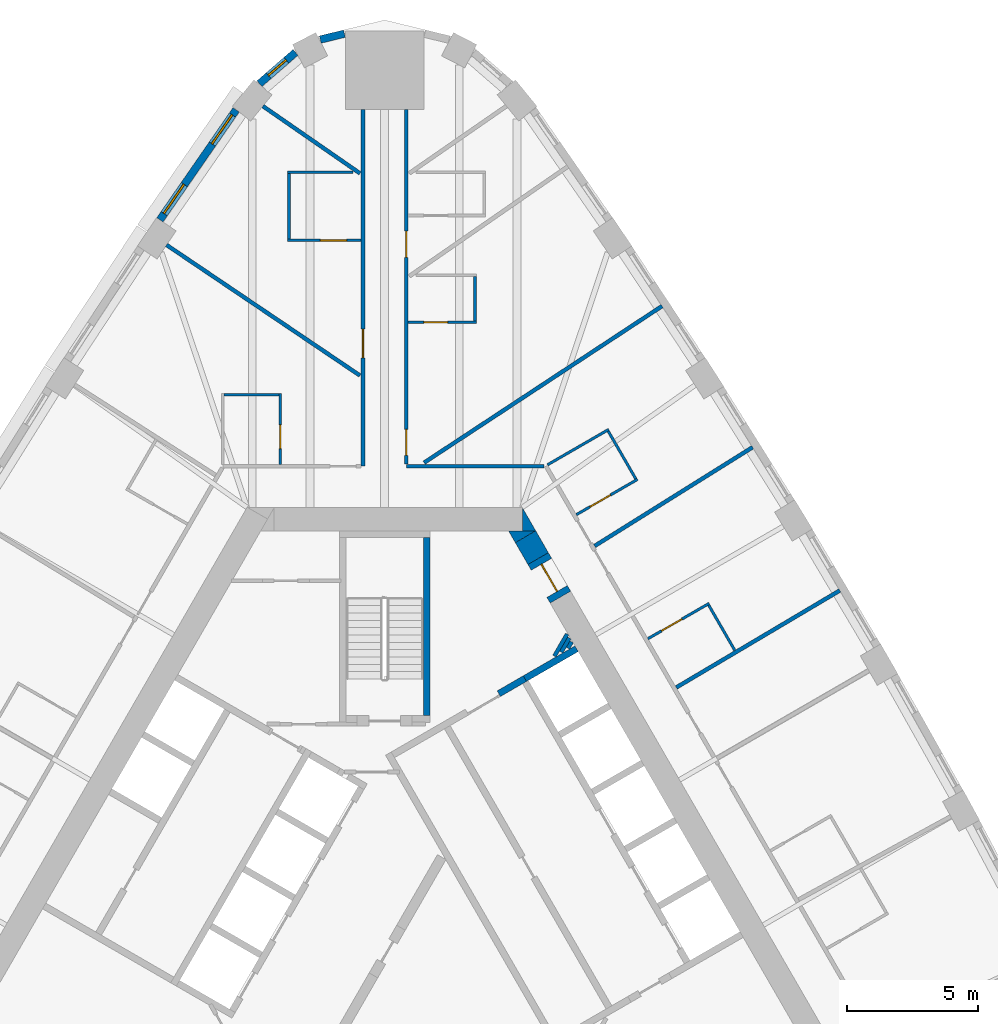
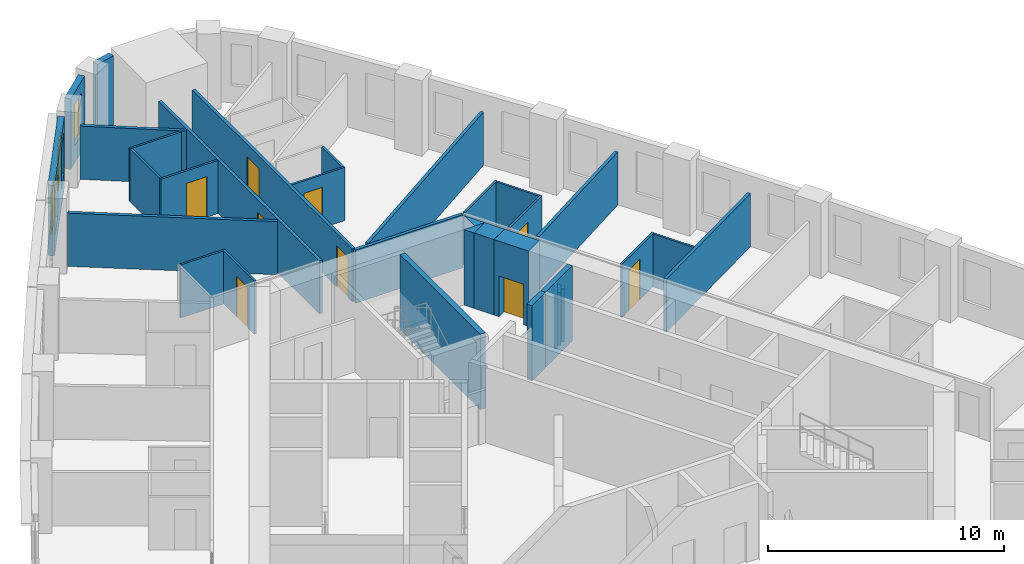
# One storey, part 10 of 12: 33 walls, 9 doors, 3 windows, 12 openings.
"""IFC4 building model written with IfcOpenShell, lengths in metres."""

from ifc_helpers import new_model, si_unit, direction, frame, frame_2d, origin, place, context, subcontext, project, spatial, polyline, rectangle, outline, extrude, material, layer, layer_set, type_object, element, fill, save


model = new_model("IFC4")

# Units and contexts
model_context = context("Model", 3, precision=1e-05, world=origin(), true_north=direction((0.0, 1.0)))
body_context = subcontext(model_context, "Body", "Model", "MODEL_VIEW")
ifc_project = project(units=[si_unit("LENGTHUNIT", "METRE"), si_unit("AREAUNIT", "SQUARE_METRE"), si_unit("VOLUMEUNIT", "CUBIC_METRE"), si_unit("PLANEANGLEUNIT", "RADIAN"), si_unit("MASSUNIT", "GRAM", prefix="KILO")], contexts=[model_context])

# Site, building, storey
site_placement = place(None, origin())
site = spatial("IfcSite", under=ifc_project, at=site_placement, CompositionType="ELEMENT")
building_placement = place(site_placement, origin())
building = spatial("IfcBuilding", under=site, at=building_placement, Name="Mestral Congress Tower", CompositionType="ELEMENT")
storey_placement = place(building_placement, frame((0.0, 0.0, 111.0)))
storey = spatial("IfcBuildingStorey", under=building, at=storey_placement, Name="L26", CompositionType="ELEMENT", Elevation=111.0)

# Walls
ifc_material_1 = material(Name="Fire-rated board partition")
ifc_layer_1 = layer(ifc_material_1, 0.14990234375)
ifc_layer_set_1 = layer_set([ifc_layer_1], Name="Fire-rated board partition")
wall_type_1 = type_object("IfcWallType", Name="Core partition 150", PredefinedType="PARTITIONING", material=ifc_layer_set_1)
wall_1_placement = place(storey_placement, frame((6.481689453125, 11.224609375, 0.0), z_axis=(0.0, 0.0, 1.0), x_axis=(0.5001061818, 0.865964091014, 0.0)))
element("IfcWall", 1, at=wall_1_placement, inside=storey, type_object=wall_type_1, Name="L26 core wall", PredefinedType="PARTITIONING", context=body_context, shape_type="SweptSolid", body=[
    extrude(rectangle(XDim=0.972900390625, YDim=0.14990234375, at=frame_2d((0.486328125, 0.0))), origin(), (0.0, 0.0, 1.0), 2.75),
])
wall_2_placement = place(storey_placement, frame((6.74169921875, 11.374755859375, 0.0), z_axis=(0.0, 0.0, 1.0), x_axis=(0.499744951064, 0.86617260629, 0.0)))
element("IfcWall", 2, at=wall_2_placement, inside=storey, type_object=wall_type_1, Name="L26 core wall", PredefinedType="PARTITIONING", context=body_context, shape_type="SweptSolid", body=[
    extrude(rectangle(XDim=0.626220703125, YDim=0.14990234375, at=frame_2d((0.31298828125, 0.0))), origin(), (0.0, 0.0, 1.0), 2.75),
])
wall_3_placement = place(storey_placement, frame((7.00146484375, 11.524658203125, 0.0), z_axis=(0.0, 0.0, 1.0), x_axis=(0.499797962495, 0.866142018774, 0.0)))
element("IfcWall", 3, at=wall_3_placement, inside=storey, type_object=wall_type_1, Name="L26 core wall", PredefinedType="PARTITIONING", context=body_context, shape_type="SweptSolid", body=[
    extrude(rectangle(XDim=0.27978515625, YDim=0.14990234375, at=frame_2d((0.139892578125, 0.0))), origin(), (0.0, 0.0, 1.0), 2.75),
])
ifc_material_2 = material(Name="Concrete C60/75", Category="concrete")
ifc_layer_2 = layer(ifc_material_2, 0.89990234375)
ifc_layer_set_2 = layer_set([ifc_layer_2], Name="Concrete C60/75")
wall_type_2 = type_object("IfcWallType", Name="Core wall RC 900", PredefinedType="SOLIDWALL", material=ifc_layer_set_2)
placement = place(storey_placement, origin())
element("IfcWall", 4, at=placement, inside=storey, type_object=wall_type_2, Name="L26 core wall", PredefinedType="SOLIDWALL", context=body_context, shape_type="SweptSolid", body=[
    extrude(outline(polyline([(5.265380859375, 16.0), (5.265380859375, 16.8798828125), (5.7734375, 16.0), (5.265380859375, 16.0)])), origin(), (0.0, 0.0, 1.0), 3.89990234375),
])
wall_5_placement = place(storey_placement, frame((5.86083984375, 14.94873046875, 0.0), z_axis=(0.0, 0.0, 1.0), x_axis=(-0.50011719232, 0.865957732194, 0.0)))
element("IfcWall", 5, at=wall_5_placement, inside=storey, type_object=wall_type_2, Name="L26 core wall", PredefinedType="SOLIDWALL", context=body_context, shape_type="SweptSolid", body=[
    extrude(rectangle(XDim=0.963623046875, YDim=0.89990234375, at=frame_2d((0.48193359375, 0.0))), origin(), (0.0, 0.0, 1.0), 3.89990234375),
])
element("IfcWall", 6, at=placement, inside=storey, type_object=wall_type_2, Name="L26 core wall", PredefinedType="SOLIDWALL", context=body_context, shape_type="SweptSolid", body=[
    extrude(outline(polyline([(4.734375, 16.0), (5.75048828125, 16.0), (4.98828125, 15.56005859375), (4.734375, 16.0)])), origin(), (0.0, 0.0, 1.0), 3.89990234375),
])

# Wall, opening, door
wall_7_placement = place(storey_placement, frame((5.86083984375, 14.948486328125, 0.0), z_axis=(0.0, 0.0, 1.0), x_axis=(0.500062241894, -0.865989465428, 0.0)))
wall_7 = element("IfcWall", 7, at=wall_7_placement, inside=storey, type_object=wall_type_2, Name="L26 door wall", PredefinedType="SOLIDWALL", context=body_context, shape_type="SweptSolid", body=[
    extrude(rectangle(XDim=1.699951171875, YDim=0.89990234375, at=frame_2d((0.85009765625, 0.0))), origin(), (0.0, 0.0, 1.0), 3.89990234375),
])
opening_1_placement = place(wall_7_placement, frame((0.25, 0.0, 0.0)))
opening_1 = element("IfcOpeningElement", 8, at=opening_1_placement, cuts=wall_7, Name="Opening XD2", PredefinedType="OPENING", context=body_context, shape_type="SweptSolid", body=[
    extrude(rectangle(XDim=1.199951171875, YDim=2.10009765625, at=frame_2d((0.60009765625, 1.050048828125))), frame((0.0, 0.4599609375, 0.0), z_axis=(0.0, -1.0, 0.0), x_axis=(1.0, 0.0, 0.0)), (0.0, 0.0, 1.0), 0.919921875),
])
ifc_material_3 = material(Name="Fire-rated steel door set", Category="steel")
door_type_1 = type_object("IfcDoorType", Name="Core door XD 1200x2100", OperationType="SINGLE_SWING_LEFT", PredefinedType="DOOR", material=ifc_material_3)
door_1_placement = place(opening_1_placement, origin())
door_1 = element("IfcDoor", 9, at=door_1_placement, inside=storey, type_object=door_type_1, Name="Door XD2", OperationType="SINGLE_SWING_LEFT", OverallHeight=2.10009765625, OverallWidth=1.199951171875, PredefinedType="DOOR", context=body_context, shape_type="SweptSolid", body=[
    extrude(rectangle(XDim=1.199951171875, YDim=2.10009765625, at=frame_2d((0.60009765625, 1.050048828125))), frame((0.0, 0.02490234375, 0.0), z_axis=(0.0, -1.0, 0.0), x_axis=(1.0, 0.0, 0.0)), (0.0, 0.0, 1.0), 0.050048828125),
])
fill(opening_1, door_1)

# Wall
ifc_material_4 = material(Name="Precast concrete C40/50 with limestone facing", Category="masonry")
ifc_layer_3 = layer(ifc_material_4, 0.2900390625)
ifc_layer_set_3 = layer_set([ifc_layer_3], Name="Precast concrete C40/50 with limestone facing")
wall_type_3 = type_object("IfcWallType", Name="Facade stone wall 290", PredefinedType="SOLIDWALL", material=ifc_layer_set_3)
wall_8_placement = place(storey_placement, frame((-1.53515625, 34.9892578125, 0.0), z_axis=(0.0, 0.0, 1.0), x_axis=(-0.971713991574, -0.236160789674, 0.0)))
element("IfcWall", 10, at=wall_8_placement, inside=storey, type_object=wall_type_3, Name="Facade wall K1-2", PredefinedType="SOLIDWALL", context=body_context, shape_type="SweptSolid", body=[
    extrude(rectangle(XDim=0.947021484375, YDim=0.2900390625, at=frame_2d((0.4736328125, 0.0))), origin(), (0.0, 0.0, 1.0), 3.64990234375),
])

# Wall, opening, window
wall_9_placement = place(storey_placement, frame((-3.404541015625, 34.275390625, 0.0), z_axis=(0.0, 0.0, 1.0), x_axis=(-0.754882764627, -0.655859749999, 0.0)))
wall_9 = element("IfcWall", 11, at=wall_9_placement, inside=storey, type_object=wall_type_3, Name="Facade wall K1-3", PredefinedType="SOLIDWALL", context=body_context, shape_type="SweptSolid", body=[
    extrude(rectangle(XDim=1.819580078125, YDim=0.2900390625, at=frame_2d((0.90966796875, 0.0))), origin(), (0.0, 0.0, 1.0), 3.64990234375),
])
opening_2_placement = place(wall_9_placement, frame((0.459716796875, 0.0, 0.89990234375)))
opening_2 = element("IfcOpeningElement", 12, at=opening_2_placement, cuts=wall_9, Name="Opening W3", PredefinedType="OPENING", context=body_context, shape_type="SweptSolid", body=[
    extrude(rectangle(XDim=0.89990234375, YDim=2.14990234375, at=frame_2d((0.449951171875, 1.074951171875))), frame((0.0, 0.155029296875, 0.0), z_axis=(0.0, -1.0, 0.0), x_axis=(1.0, 0.0, 0.0)), (0.0, 0.0, 1.0), 0.31005859375),
])
ifc_material_5 = material(Name="Clear low-emissivity double glazing", Category="glass")
window_type_1 = type_object("IfcWindowType", Name="Facade punched window 900 x 2150 sill 900", PartitioningType="SINGLE_PANEL", PredefinedType="WINDOW", material=ifc_material_5)
window_1_placement = place(opening_2_placement, origin())
window_1 = element("IfcWindow", 13, at=window_1_placement, inside=storey, type_object=window_type_1, Name="Window K1-3", OverallHeight=2.14990234375, OverallWidth=0.89990234375, PartitioningType="SINGLE_PANEL", PredefinedType="WINDOW", context=body_context, shape_type="SweptSolid", body=[
    extrude(rectangle(XDim=0.89990234375, YDim=2.14990234375, at=frame_2d((0.449951171875, 1.074951171875))), frame((0.0, 0.01513671875, 0.0), z_axis=(0.0, -1.0, 0.0), x_axis=(1.0, 0.0, 0.0)), (0.0, 0.0, 1.0), 0.06005859375),
])
fill(opening_2, window_1)

# Wall, openings, windows
wall_10_placement = place(storey_placement, frame((-5.67333984375, 32.0810546875, 0.0), z_axis=(0.0, 0.0, 1.0), x_axis=(-0.569113019126, -0.822259309136, 0.0)))
wall_10 = element("IfcWall", 14, at=wall_10_placement, inside=storey, type_object=wall_type_3, Name="Facade wall F2-00", PredefinedType="SOLIDWALL", context=body_context, shape_type="SweptSolid", body=[
    extrude(rectangle(XDim=5.106689453125, YDim=0.2900390625, at=frame_2d((2.55322265625, 0.0))), origin(), (0.0, 0.0, 1.0), 3.64990234375),
])
opening_3_placement = place(wall_10_placement, frame((0.240478515625, 0.0, 0.89990234375)))
opening_3 = element("IfcOpeningElement", 15, at=opening_3_placement, cuts=wall_10, Name="Opening W2", PredefinedType="OPENING", context=body_context, shape_type="SweptSolid", body=[
    extrude(rectangle(XDim=1.35009765625, YDim=2.14990234375, at=frame_2d((0.675048828125, 1.074951171875))), frame((0.0, 0.155029296875, 0.0), z_axis=(0.0, -1.0, 0.0), x_axis=(1.0, 0.0, 0.0)), (0.0, 0.0, 1.0), 0.31005859375),
])
opening_4_placement = place(wall_10_placement, frame((3.47119140625, 0.0, 0.89990234375)))
opening_4 = element("IfcOpeningElement", 16, at=opening_4_placement, cuts=wall_10, Name="Opening W2", PredefinedType="OPENING", context=body_context, shape_type="SweptSolid", body=[
    extrude(rectangle(XDim=1.35009765625, YDim=2.14990234375, at=frame_2d((0.675048828125, 1.074951171875))), frame((0.0, 0.155029296875, 0.0), z_axis=(0.0, -1.0, 0.0), x_axis=(1.0, 0.0, 0.0)), (0.0, 0.0, 1.0), 0.31005859375),
])
window_type_2 = type_object("IfcWindowType", Name="Facade punched window 1350 x 2150 sill 900", PartitioningType="DOUBLE_PANEL_VERTICAL", PredefinedType="WINDOW", material=ifc_material_5)
window_2_placement = place(opening_3_placement, origin())
window_2 = element("IfcWindow", 17, at=window_2_placement, inside=storey, type_object=window_type_2, Name="Window F2-00a", OverallHeight=2.14990234375, OverallWidth=1.35009765625, PartitioningType="DOUBLE_PANEL_VERTICAL", PredefinedType="WINDOW", context=body_context, shape_type="SweptSolid", body=[
    extrude(rectangle(XDim=1.35009765625, YDim=2.14990234375, at=frame_2d((0.675048828125, 1.074951171875))), frame((0.0, 0.01513671875, 0.0), z_axis=(0.0, -1.0, 0.0), x_axis=(1.0, 0.0, 0.0)), (0.0, 0.0, 1.0), 0.06005859375),
])
fill(opening_3, window_2)
window_3_placement = place(opening_4_placement, origin())
window_3 = element("IfcWindow", 18, at=window_3_placement, inside=storey, type_object=window_type_2, Name="Window F2-00b", OverallHeight=2.14990234375, OverallWidth=1.35009765625, PartitioningType="DOUBLE_PANEL_VERTICAL", PredefinedType="WINDOW", context=body_context, shape_type="SweptSolid", body=[
    extrude(rectangle(XDim=1.35009765625, YDim=2.14990234375, at=frame_2d((0.675048828125, 1.074951171875))), frame((0.0, 0.01513671875, 0.0), z_axis=(0.0, -1.0, 0.0), x_axis=(1.0, 0.0, 0.0)), (0.0, 0.0, 1.0), 0.06005859375),
])
fill(opening_4, window_3)

# Wall, opening, door
ifc_material_6 = material(Name="Gypsum board partition on metal studs with mineral wool", Category="composite")
ifc_layer_4 = layer(ifc_material_6, 0.10009765625)
ifc_layer_set_4 = layer_set([ifc_layer_4], Name="Gypsum board partition on metal studs with mineral wool")
wall_type_4 = type_object("IfcWallType", Name="Hotel partition wall 100", PredefinedType="PARTITIONING", material=ifc_layer_set_4)
wall_11_placement = place(storey_placement, frame((12.390380859375, 13.239013671875, 0.0), z_axis=(0.0, 0.0, 1.0), x_axis=(-0.866036505625, -0.499980770555, 0.0)))
wall_11 = element("IfcWall", 19, at=wall_11_placement, inside=storey, type_object=wall_type_4, Name="L26-h-pod13a", PredefinedType="PARTITIONING", context=body_context, shape_type="SweptSolid", body=[
    extrude(rectangle(XDim=2.69970703125, YDim=0.10009765625, at=frame_2d((1.349853515625, 0.0))), origin(), (0.0, 0.0, 1.0), 2.75),
])
opening_5_placement = place(wall_11_placement, frame((1.199951171875, 0.0, 0.0)))
opening_5 = element("IfcOpeningElement", 20, at=opening_5_placement, cuts=wall_11, Name="Opening H08-022", PredefinedType="OPENING", context=body_context, shape_type="SweptSolid", body=[
    extrude(rectangle(XDim=0.89990234375, YDim=2.10009765625, at=frame_2d((0.449951171875, 1.050048828125))), frame((0.0, 0.06005859375, 0.0), z_axis=(0.0, -1.0, 0.0), x_axis=(1.0, 0.0, 0.0)), (0.0, 0.0, 1.0), 0.1201171875),
])
ifc_material_7 = material(Name="Timber veneer door leaf in timber frame", Category="wood")
door_type_2 = type_object("IfcDoorType", Name="Bathroom door 900", OperationType="SINGLE_SWING_LEFT", PredefinedType="DOOR", material=ifc_material_7)
door_2_placement = place(opening_5_placement, origin())
door_2 = element("IfcDoor", 21, at=door_2_placement, inside=storey, type_object=door_type_2, Name="L26-h-d022", OperationType="SINGLE_SWING_LEFT", OverallHeight=2.10009765625, OverallWidth=0.89990234375, PredefinedType="DOOR", context=body_context, shape_type="SweptSolid", body=[
    extrude(rectangle(XDim=0.89990234375, YDim=2.10009765625, at=frame_2d((0.449951171875, 1.050048828125))), frame((0.0, 0.02490234375, 0.0), z_axis=(0.0, -1.0, 0.0), x_axis=(1.0, 0.0, 0.0)), (0.0, 0.0, 1.0), 0.050048828125),
])
fill(opening_5, door_2)

# Wall
wall_12_placement = place(storey_placement, frame((12.3720703125, 13.1708984375, 0.0), z_axis=(0.0, 0.0, 1.0), x_axis=(0.500044573643, -0.86599966765, 0.0)))
element("IfcWall", 22, at=wall_12_placement, inside=storey, type_object=wall_type_4, Name="L26-h-pod13b", PredefinedType="PARTITIONING", context=body_context, shape_type="SweptSolid", body=[
    extrude(rectangle(XDim=1.989990234375, YDim=0.10009765625, at=frame_2d((0.9951171875, 0.0))), origin(), (0.0, 0.0, 1.0), 2.75),
])

# Wall, opening, door
wall_13_placement = place(storey_placement, frame((7.318115234375, 16.62451171875, 0.0), z_axis=(0.0, 0.0, 1.0), x_axis=(0.866019956843, 0.50000943426, 0.0)))
wall_13 = element("IfcWall", 23, at=wall_13_placement, inside=storey, type_object=wall_type_4, Name="L26-h-pod14a", PredefinedType="PARTITIONING", context=body_context, shape_type="SweptSolid", body=[
    extrude(rectangle(XDim=2.7001953125, YDim=0.10009765625, at=frame_2d((1.35009765625, 0.0))), origin(), (0.0, 0.0, 1.0), 2.75),
])
opening_6_placement = place(wall_13_placement, frame((0.60009765625, 0.0, 0.0)))
opening_6 = element("IfcOpeningElement", 24, at=opening_6_placement, cuts=wall_13, Name="Opening H08-024", PredefinedType="OPENING", context=body_context, shape_type="SweptSolid", body=[
    extrude(rectangle(XDim=0.89990234375, YDim=2.10009765625, at=frame_2d((0.449951171875, 1.050048828125))), frame((0.0, 0.06005859375, 0.0), z_axis=(0.0, -1.0, 0.0), x_axis=(1.0, 0.0, 0.0)), (0.0, 0.0, 1.0), 0.1201171875),
])
door_3_placement = place(opening_6_placement, origin())
door_3 = element("IfcDoor", 25, at=door_3_placement, inside=storey, type_object=door_type_2, Name="L26-h-d024", OperationType="SINGLE_SWING_LEFT", OverallHeight=2.10009765625, OverallWidth=0.89990234375, PredefinedType="DOOR", context=body_context, shape_type="SweptSolid", body=[
    extrude(rectangle(XDim=0.89990234375, YDim=2.10009765625, at=frame_2d((0.449951171875, 1.050048828125))), frame((0.0, 0.02490234375, 0.0), z_axis=(0.0, -1.0, 0.0), x_axis=(1.0, 0.0, 0.0)), (0.0, 0.0, 1.0), 0.050048828125),
])
fill(opening_6, door_3)

# Walls
wall_14_placement = place(storey_placement, frame((9.588134765625, 17.992919921875, 0.0), z_axis=(0.0, 0.0, 1.0), x_axis=(-0.500027713859, 0.866009402589, 0.0)))
element("IfcWall", 26, at=wall_14_placement, inside=storey, type_object=wall_type_4, Name="L26-h-pod14b", PredefinedType="PARTITIONING", context=body_context, shape_type="SweptSolid", body=[
    extrude(rectangle(XDim=2.10009765625, YDim=0.10009765625, at=frame_2d((1.050048828125, 0.0))), origin(), (0.0, 0.0, 1.0), 2.75),
])
wall_15_placement = place(storey_placement, frame((6.21826171875, 18.52978515625, 0.0), z_axis=(0.0, 0.0, 1.0), x_axis=(0.86599734893, 0.500048589285, 0.0)))
element("IfcWall", 27, at=wall_15_placement, inside=storey, type_object=wall_type_4, Name="L26-h-pod14c", PredefinedType="PARTITIONING", context=body_context, shape_type="SweptSolid", body=[
    extrude(rectangle(XDim=2.699951171875, YDim=0.10009765625, at=frame_2d((1.35009765625, 0.0))), origin(), (0.0, 0.0, 1.0), 2.75),
])

# Wall, opening, door
wall_16_placement = place(storey_placement, frame((0.89990234375, 23.968994140625, 0.0), z_axis=(0.0, 0.0, 1.0), x_axis=(1.0, 0.0, 0.0)))
wall_16 = element("IfcWall", 28, at=wall_16_placement, inside=storey, type_object=wall_type_4, Name="L26-h-pod15a", PredefinedType="PARTITIONING", context=body_context, shape_type="SweptSolid", body=[
    extrude(rectangle(XDim=2.60009765625, YDim=0.10009765625, at=frame_2d((1.300048828125, 0.0))), origin(), (0.0, 0.0, 1.0), 2.75),
])
opening_7_placement = place(wall_16_placement, frame((0.60009765625, 0.0, 0.0)))
opening_7 = element("IfcOpeningElement", 29, at=opening_7_placement, cuts=wall_16, Name="Opening H08-026", PredefinedType="OPENING", context=body_context, shape_type="SweptSolid", body=[
    extrude(rectangle(XDim=0.89990234375, YDim=2.10009765625, at=frame_2d((0.449951171875, 1.050048828125))), frame((0.0, 0.06005859375, 0.0), z_axis=(0.0, -1.0, 0.0), x_axis=(1.0, 0.0, 0.0)), (0.0, 0.0, 1.0), 0.1201171875),
])
door_4_placement = place(opening_7_placement, origin())
door_4 = element("IfcDoor", 30, at=door_4_placement, inside=storey, type_object=door_type_2, Name="L26-h-d026", OperationType="SINGLE_SWING_RIGHT", OverallHeight=2.10009765625, OverallWidth=0.89990234375, PredefinedType="DOOR", context=body_context, shape_type="SweptSolid", body=[
    extrude(rectangle(XDim=0.89990234375, YDim=2.10009765625, at=frame_2d((0.449951171875, 1.050048828125))), frame((0.0, 0.02490234375, 0.0), z_axis=(0.0, -1.0, 0.0), x_axis=(1.0, 0.0, 0.0)), (0.0, 0.0, 1.0), 0.050048828125),
])
fill(opening_7, door_4)

# Wall
wall_17_placement = place(storey_placement, frame((3.449951171875, 24.01904296875, 0.0), z_axis=(0.0, 0.0, 1.0), x_axis=(0.0, 1.0, 0.0)))
element("IfcWall", 31, at=wall_17_placement, inside=storey, type_object=wall_type_4, Name="L26-h-pod15b", PredefinedType="PARTITIONING", context=body_context, shape_type="SweptSolid", body=[
    extrude(rectangle(XDim=1.699951171875, YDim=0.10009765625, at=frame_2d((0.85009765625, 0.0))), origin(), (0.0, 0.0, 1.0), 2.75),
])

# Wall, opening, door
wall_18_placement = place(storey_placement, frame((-3.699951171875, 27.097900390625, 0.0), z_axis=(0.0, 0.0, 1.0), x_axis=(1.0, 0.0, 0.0)))
wall_18 = element("IfcWall", 32, at=wall_18_placement, inside=storey, type_object=wall_type_4, Name="L26-h-pod17a", PredefinedType="PARTITIONING", context=body_context, shape_type="SweptSolid", body=[
    extrude(rectangle(XDim=2.800048828125, YDim=0.10009765625, at=frame_2d((1.39990234375, 0.0))), origin(), (0.0, 0.0, 1.0), 2.75),
])
opening_8_placement = place(wall_18_placement, frame((1.25, 0.0, 0.0)))
opening_8 = element("IfcOpeningElement", 33, at=opening_8_placement, cuts=wall_18, Name="Opening H08-030", PredefinedType="OPENING", context=body_context, shape_type="SweptSolid", body=[
    extrude(rectangle(XDim=1.0, YDim=2.10009765625, at=frame_2d((0.5, 1.050048828125))), frame((0.0, 0.06005859375, 0.0), z_axis=(0.0, -1.0, 0.0), x_axis=(1.0, 0.0, 0.0)), (0.0, 0.0, 1.0), 0.1201171875),
])
door_type_3 = type_object("IfcDoorType", Name="Accessible bathroom door 1000", OperationType="SINGLE_SWING_LEFT", PredefinedType="DOOR", material=ifc_material_7)
door_5_placement = place(opening_8_placement, origin())
door_5 = element("IfcDoor", 34, at=door_5_placement, inside=storey, type_object=door_type_3, Name="L26-h-d030", OperationType="SINGLE_SWING_LEFT", OverallHeight=2.10009765625, OverallWidth=1.0, PredefinedType="DOOR", context=body_context, shape_type="SweptSolid", body=[
    extrude(rectangle(XDim=1.0, YDim=2.10009765625, at=frame_2d((0.5, 1.050048828125))), frame((0.0, 0.02490234375, 0.0), z_axis=(0.0, -1.0, 0.0), x_axis=(1.0, 0.0, 0.0)), (0.0, 0.0, 1.0), 0.050048828125),
])
fill(opening_8, door_5)

# Walls
for number, where, z_axis, x_axis, name in (
    (35, (-3.64990234375, 27.14794921875, 0.0), (0.0, 0.0, 1.0), (0.0, 1.0, 0.0), "L26-h-pod17b"),
    (36, (-1.199951171875, 29.697998046875, 0.0), (0.0, 0.0, 1.0), (-1.0, 0.0, 0.0), "L26-h-pod17c"),
):
    element("IfcWall", number, at=place(storey_placement, frame(where, z_axis=z_axis, x_axis=x_axis)), inside=storey, type_object=wall_type_4, Name=name, PredefinedType="PARTITIONING", context=body_context, shape_type="SweptSolid", body=[
        extrude(rectangle(XDim=2.5, YDim=0.10009765625, at=frame_2d((1.25, 0.0))), origin(), (0.0, 0.0, 1.0), 2.75),
    ])

# Wall, opening, door
wall_19_placement = place(storey_placement, frame((-3.983154296875, 18.550048828125, 0.0), z_axis=(0.0, 0.0, 1.0), x_axis=(0.0, 1.0, 0.0)))
wall_19 = element("IfcWall", 37, at=wall_19_placement, inside=storey, type_object=wall_type_4, Name="L26-h-pod18a", PredefinedType="PARTITIONING", context=body_context, shape_type="SweptSolid", body=[
    extrude(rectangle(XDim=2.699951171875, YDim=0.10009765625, at=frame_2d((1.35009765625, 0.0))), origin(), (0.0, 0.0, 1.0), 2.75),
])
opening_9_placement = place(wall_19_placement, frame((0.60009765625, 0.0, 0.0)))
opening_9 = element("IfcOpeningElement", 38, at=opening_9_placement, cuts=wall_19, Name="Opening H08-032", PredefinedType="OPENING", context=body_context, shape_type="SweptSolid", body=[
    extrude(rectangle(XDim=0.89990234375, YDim=2.10009765625, at=frame_2d((0.449951171875, 1.050048828125))), frame((0.0, 0.06005859375, 0.0), z_axis=(0.0, -1.0, 0.0), x_axis=(1.0, 0.0, 0.0)), (0.0, 0.0, 1.0), 0.1201171875),
])
door_6_placement = place(opening_9_placement, origin())
door_6 = element("IfcDoor", 39, at=door_6_placement, inside=storey, type_object=door_type_2, Name="L26-h-d032", OperationType="SINGLE_SWING_RIGHT", OverallHeight=2.10009765625, OverallWidth=0.89990234375, PredefinedType="DOOR", context=body_context, shape_type="SweptSolid", body=[
    extrude(rectangle(XDim=0.89990234375, YDim=2.10009765625, at=frame_2d((0.449951171875, 1.050048828125))), frame((0.0, 0.02490234375, 0.0), z_axis=(0.0, -1.0, 0.0), x_axis=(1.0, 0.0, 0.0)), (0.0, 0.0, 1.0), 0.050048828125),
])
fill(opening_9, door_6)

# Walls
wall_20_placement = place(storey_placement, frame((-4.033203125, 21.199951171875, 0.0), z_axis=(0.0, 0.0, 1.0), x_axis=(-1.0, 0.0, 0.0)))
element("IfcWall", 40, at=wall_20_placement, inside=storey, type_object=wall_type_4, Name="L26-h-pod18b", PredefinedType="PARTITIONING", context=body_context, shape_type="SweptSolid", body=[
    extrude(rectangle(XDim=2.10009765625, YDim=0.10009765625, at=frame_2d((1.050048828125, 0.0))), origin(), (0.0, 0.0, 1.0), 2.75),
])
ifc_layer_5 = layer(ifc_material_6, 0.14990234375)
ifc_layer_set_5 = layer_set([ifc_layer_5], Name="Gypsum board partition on metal studs with mineral wool")
wall_type_5 = type_object("IfcWallType", Name="Hotel partition wall 150", PredefinedType="PARTITIONING", material=ifc_layer_set_5)
wall_21_placement = place(storey_placement, frame((0.824951171875, 18.47509765625, 0.0), z_axis=(0.0, 0.0, 1.0), x_axis=(1.0, 0.0, 0.0)))
element("IfcWall", 41, at=wall_21_placement, inside=storey, type_object=wall_type_5, Name="L26-h-cw04", PredefinedType="PARTITIONING", context=body_context, shape_type="SweptSolid", body=[
    extrude(rectangle(XDim=5.268310546875, YDim=0.14990234375, at=frame_2d((2.63427734375, 0.0))), origin(), (0.0, 0.0, 1.0), 2.75),
])

# Wall, openings, doors
wall_22_placement = place(storey_placement, frame((0.824951171875, 32.098388671875, 0.0), z_axis=(0.0, 0.0, 1.0), x_axis=(0.0, -1.0, 0.0)))
wall_22 = element("IfcWall", 42, at=wall_22_placement, inside=storey, type_object=wall_type_5, Name="L26-h-cw05", PredefinedType="PARTITIONING", context=body_context, shape_type="SweptSolid", body=[
    extrude(rectangle(XDim=13.54345703125, YDim=0.14990234375, at=frame_2d((6.771728515625, 0.0))), origin(), (0.0, 0.0, 1.0), 2.75),
])
opening_10_placement = place(wall_22_placement, frame((12.21337890625, 0.0, 0.0)))
opening_10 = element("IfcOpeningElement", 43, at=opening_10_placement, cuts=wall_22, Name="Opening H08-025", PredefinedType="OPENING", context=body_context, shape_type="SweptSolid", body=[
    extrude(rectangle(XDim=1.0, YDim=2.10009765625, at=frame_2d((0.5, 1.050048828125))), frame((0.0, 0.0849609375, 0.0), z_axis=(0.0, -1.0, 0.0), x_axis=(1.0, 0.0, 0.0)), (0.0, 0.0, 1.0), 0.169921875),
])
opening_11_placement = place(wall_22_placement, frame((4.650146484375, 0.0, 0.0)))
opening_11 = element("IfcOpeningElement", 44, at=opening_11_placement, cuts=wall_22, Name="Opening H08-027", PredefinedType="OPENING", context=body_context, shape_type="SweptSolid", body=[
    extrude(rectangle(XDim=1.0, YDim=2.10009765625, at=frame_2d((0.5, 1.050048828125))), frame((0.0, 0.0849609375, 0.0), z_axis=(0.0, -1.0, 0.0), x_axis=(1.0, 0.0, 0.0)), (0.0, 0.0, 1.0), 0.169921875),
])
ifc_material_8 = material(Name="Timber veneer door leaf in metal frame", Category="wood")
door_type_4 = type_object("IfcDoorType", Name="Guest room entrance door 1000", OperationType="SINGLE_SWING_LEFT", PredefinedType="DOOR", material=ifc_material_8)
door_7_placement = place(opening_10_placement, origin())
door_7 = element("IfcDoor", 45, at=door_7_placement, inside=storey, type_object=door_type_4, Name="L26-h-d025", OperationType="SINGLE_SWING_RIGHT", OverallHeight=2.10009765625, OverallWidth=1.0, PredefinedType="DOOR", context=body_context, shape_type="SweptSolid", body=[
    extrude(rectangle(XDim=1.0, YDim=2.10009765625, at=frame_2d((0.5, 1.050048828125))), frame((0.0, 0.02490234375, 0.0), z_axis=(0.0, -1.0, 0.0), x_axis=(1.0, 0.0, 0.0)), (0.0, 0.0, 1.0), 0.050048828125),
])
fill(opening_10, door_7)
door_8_placement = place(opening_11_placement, origin())
door_8 = element("IfcDoor", 46, at=door_8_placement, inside=storey, type_object=door_type_4, Name="L26-h-d027", OperationType="SINGLE_SWING_RIGHT", OverallHeight=2.10009765625, OverallWidth=1.0, PredefinedType="DOOR", context=body_context, shape_type="SweptSolid", body=[
    extrude(rectangle(XDim=1.0, YDim=2.10009765625, at=frame_2d((0.5, 1.050048828125))), frame((0.0, 0.02490234375, 0.0), z_axis=(0.0, -1.0, 0.0), x_axis=(1.0, 0.0, 0.0)), (0.0, 0.0, 1.0), 0.050048828125),
])
fill(opening_11, door_8)

# Wall, opening, door
wall_23_placement = place(storey_placement, frame((-0.824951171875, 18.47509765625, 0.0), z_axis=(0.0, 0.0, 1.0), x_axis=(0.0, 1.0, 0.0)))
wall_23 = element("IfcWall", 47, at=wall_23_placement, inside=storey, type_object=wall_type_5, Name="L26-h-cw06", PredefinedType="PARTITIONING", context=body_context, shape_type="SweptSolid", body=[
    extrude(rectangle(XDim=13.623291015625, YDim=0.14990234375, at=frame_2d((6.8115234375, 0.0))), origin(), (0.0, 0.0, 1.0), 2.75),
])
opening_12_placement = place(wall_23_placement, frame((4.13525390625, 0.0, 0.0)))
opening_12 = element("IfcOpeningElement", 48, at=opening_12_placement, cuts=wall_23, Name="Opening H08-029", PredefinedType="OPENING", context=body_context, shape_type="SweptSolid", body=[
    extrude(rectangle(XDim=1.10009765625, YDim=2.10009765625, at=frame_2d((0.550048828125, 1.050048828125))), frame((0.0, 0.0849609375, 0.0), z_axis=(0.0, -1.0, 0.0), x_axis=(1.0, 0.0, 0.0)), (0.0, 0.0, 1.0), 0.169921875),
])
door_type_5 = type_object("IfcDoorType", Name="Accessible room entrance door 1100", OperationType="SINGLE_SWING_LEFT", PredefinedType="DOOR", material=ifc_material_8)
door_9_placement = place(opening_12_placement, origin())
door_9 = element("IfcDoor", 49, at=door_9_placement, inside=storey, type_object=door_type_5, Name="L26-h-d029", OperationType="SINGLE_SWING_LEFT", OverallHeight=2.10009765625, OverallWidth=1.10009765625, PredefinedType="DOOR", context=body_context, shape_type="SweptSolid", body=[
    extrude(rectangle(XDim=1.10009765625, YDim=2.10009765625, at=frame_2d((0.550048828125, 1.050048828125))), frame((0.0, 0.02490234375, 0.0), z_axis=(0.0, -1.0, 0.0), x_axis=(1.0, 0.0, 0.0)), (0.0, 0.0, 1.0), 0.050048828125),
])
fill(opening_12, door_9)

# Walls
wall_24_placement = place(storey_placement, frame((-8.32568359375, 26.922607421875, 0.0), z_axis=(0.0, 0.0, 1.0), x_axis=(0.828836601893, -0.5594907393, 0.0)))
element("IfcWall", 50, at=wall_24_placement, inside=storey, type_object=wall_type_5, Name="L26-h-pw11", PredefinedType="PARTITIONING", context=body_context, shape_type="SweptSolid", body=[
    extrude(rectangle(XDim=8.9091796875, YDim=0.14990234375, at=frame_2d((4.45458984375, 0.0))), origin(), (0.0, 0.0, 1.0), 2.75),
])
wall_25_placement = place(storey_placement, frame((-4.649169921875, 32.223388671875, 0.0), z_axis=(0.0, 0.0, 1.0), x_axis=(0.822262349475, -0.569108626394, 0.0)))
element("IfcWall", 51, at=wall_25_placement, inside=storey, type_object=wall_type_5, Name="L26-h-pw12", PredefinedType="PARTITIONING", context=body_context, shape_type="SweptSolid", body=[
    extrude(rectangle(XDim=4.509521484375, YDim=0.14990234375, at=frame_2d((2.2548828125, 0.0))), origin(), (0.0, 0.0, 1.0), 2.75),
])
wall_26_placement = place(storey_placement, frame((10.591552734375, 24.589111328125, 0.0), z_axis=(0.0, 0.0, 1.0), x_axis=(-0.835337323748, -0.549737715236, 0.0)))
element("IfcWall", 52, at=wall_26_placement, inside=storey, type_object=wall_type_5, Name="L26-h-pw15", PredefinedType="PARTITIONING", context=body_context, shape_type="SweptSolid", body=[
    extrude(rectangle(XDim=10.875244140625, YDim=0.14990234375, at=frame_2d((5.4375, 0.0))), origin(), (0.0, 0.0, 1.0), 2.75),
])
wall_27_placement = place(storey_placement, frame((14.048828125, 19.19970703125, 0.0), z_axis=(0.0, 0.0, 1.0), x_axis=(-0.847955867271, -0.530066832731, 0.0)))
element("IfcWall", 53, at=wall_27_placement, inside=storey, type_object=wall_type_5, Name="L26-h-pw18", PredefinedType="PARTITIONING", context=body_context, shape_type="SweptSolid", body=[
    extrude(rectangle(XDim=7.111083984375, YDim=0.14990234375, at=frame_2d((3.5556640625, 0.0))), origin(), (0.0, 0.0, 1.0), 2.75),
])
wall_28_placement = place(storey_placement, frame((17.379150390625, 13.730712890625, 0.0), z_axis=(0.0, 0.0, 1.0), x_axis=(-0.860132461691, -0.510070728768, 0.0)))
element("IfcWall", 54, at=wall_28_placement, inside=storey, type_object=wall_type_5, Name="L26-h-pw19", PredefinedType="PARTITIONING", context=body_context, shape_type="SweptSolid", body=[
    extrude(rectangle(XDim=7.256591796875, YDim=0.14990234375, at=frame_2d((3.62841796875, 0.0))), origin(), (0.0, 0.0, 1.0), 2.75),
])
ifc_layer_6 = layer(ifc_material_2, 0.25)
ifc_layer_set_6 = layer_set([ifc_layer_6], Name="Concrete C60/75")
wall_type_6 = type_object("IfcWallType", Name="Shaft wall RC 250", PredefinedType="SOLIDWALL", material=ifc_layer_set_6)
wall_29_placement = place(storey_placement, frame((4.3583984375, 9.791015625, 0.0), z_axis=(0.0, 0.0, 1.0), x_axis=(0.866079547155, 0.499906209203, 0.0)))
element("IfcWall", 55, at=wall_29_placement, inside=storey, type_object=wall_type_6, Name="L26 core wall", PredefinedType="SOLIDWALL", context=body_context, shape_type="SweptSolid", body=[
    extrude(rectangle(XDim=1.150146484375, YDim=0.25, at=frame_2d((0.5751953125, 0.0))), origin(), (0.0, 0.0, 1.0), 3.89990234375),
])
wall_30_placement = place(storey_placement, frame((5.356201171875, 10.366943359375, 0.0), z_axis=(0.0, 0.0, 1.0), x_axis=(0.865978535641, 0.50008116922, 0.0)))
element("IfcWall", 56, at=wall_30_placement, inside=storey, type_object=wall_type_6, Name="L26 core wall", PredefinedType="SOLIDWALL", context=body_context, shape_type="SweptSolid", body=[
    extrude(rectangle(XDim=2.27783203125, YDim=0.25, at=frame_2d((1.138916015625, 0.0))), origin(), (0.0, 0.0, 1.0), 3.89990234375),
])
ifc_layer_7 = layer(ifc_material_2, 0.25)
ifc_layer_set_7 = layer_set([ifc_layer_7], Name="Concrete C60/75")
wall_type_7 = type_object("IfcWallType", Name="Stair wall RC 250", PredefinedType="SOLIDWALL", material=ifc_layer_set_7)
wall_31_placement = place(storey_placement, frame((1.60009765625, 8.949951171875, 0.0), z_axis=(0.0, 0.0, 1.0), x_axis=(0.0, 1.0, 0.0)))
element("IfcWall", 57, at=wall_31_placement, inside=storey, type_object=wall_type_7, Name="L26 core wall", PredefinedType="SOLIDWALL", context=body_context, shape_type="SweptSolid", body=[
    extrude(rectangle(XDim=6.800048828125, YDim=0.25, at=frame_2d((3.39990234375, 0.0))), origin(), (0.0, 0.0, 1.0), 3.89990234375),
])

save(model, "model.ifc")
